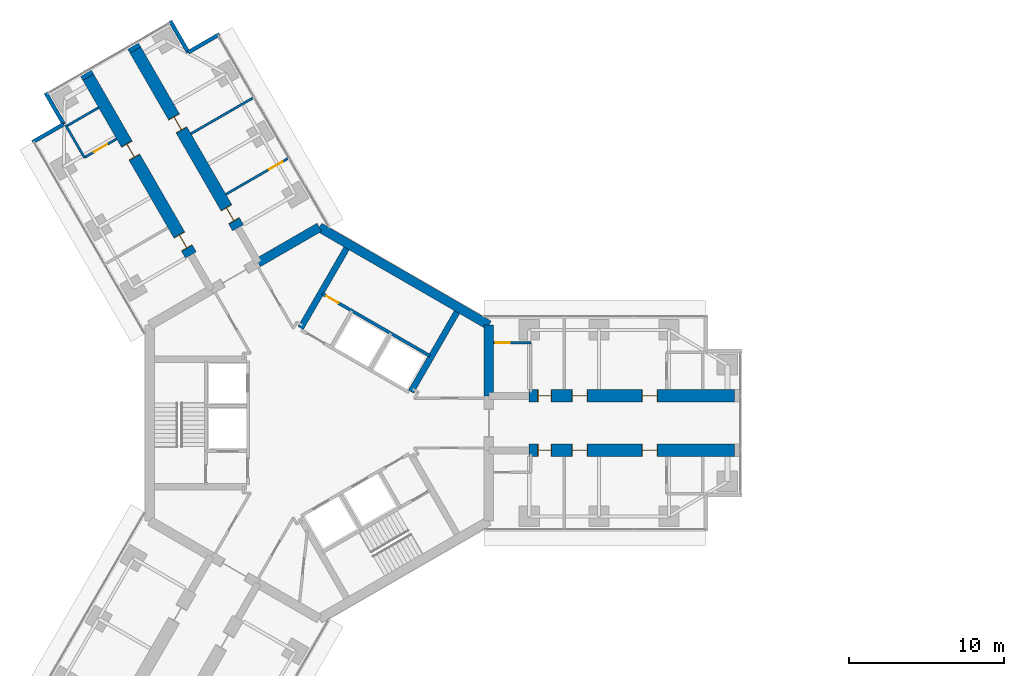
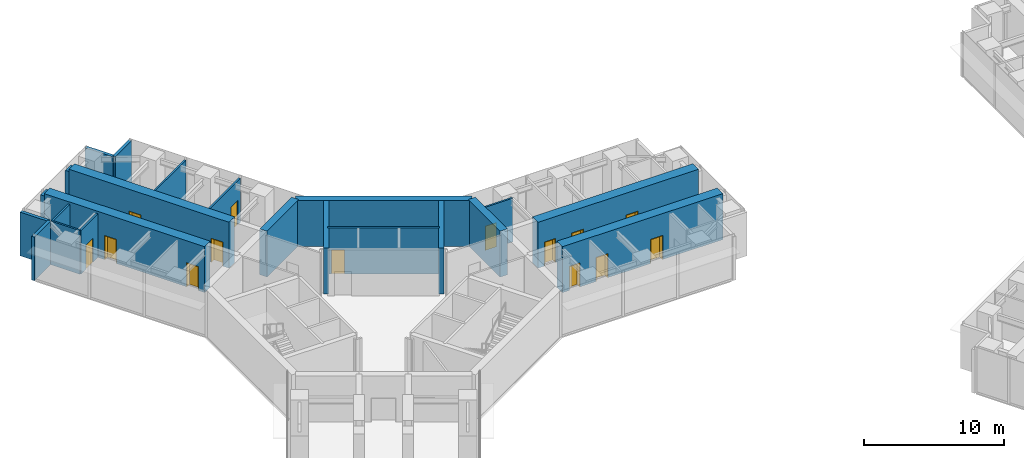
# One storey, part 17 of 22: 22 walls, 14 doors, 14 openings.
"""IFC4 building model written with IfcOpenShell, lengths in metres."""

from ifc_helpers import new_model, si_unit, direction, frame, frame_2d, origin, place, context, subcontext, project, spatial, rectangle, extrude, material, layer, layer_set, type_object, element, fill, save


model = new_model("IFC4")

# Units and contexts
model_context = context("Model", 3, precision=1e-05, world=origin(), true_north=direction((0.0, 1.0)))
body_context = subcontext(model_context, "Body", "Model", "MODEL_VIEW")
ifc_project = project(units=[si_unit("LENGTHUNIT", "METRE"), si_unit("AREAUNIT", "SQUARE_METRE"), si_unit("VOLUMEUNIT", "CUBIC_METRE"), si_unit("PLANEANGLEUNIT", "RADIAN"), si_unit("MASSUNIT", "GRAM", prefix="KILO")], contexts=[model_context])

# Site, building, storey
site_placement = place(None, origin())
site = spatial("IfcSite", under=ifc_project, at=site_placement, CompositionType="ELEMENT")
building_placement = place(site_placement, origin())
building = spatial("IfcBuilding", under=site, at=building_placement, Name="Upepo Twin Towers", CompositionType="ELEMENT")
storey_placement = place(building_placement, frame((0.0, 0.0, 125.5)))
storey = spatial("IfcBuildingStorey", under=building, at=storey_placement, Name="L30", CompositionType="ELEMENT", Elevation=125.5)

# Walls
ifc_material_1 = material(Name="Dense concrete blockwork", Category="masonry")
ifc_layer_1 = layer(ifc_material_1, 0.800048828125)
ifc_layer_set_1 = layer_set([ifc_layer_1], Name="Buttress closer 800, blockwork with fire-stopping to the curtain wall")
wall_type_1 = type_object("IfcWallType", Name="Buttress closer 800, blockwork with fire-stopping to the curtain wall", PredefinedType="PARTITIONING", material=ifc_layer_set_1)
wall_1_placement = place(storey_placement, frame((-14.865478515625, 22.247802734375, 0.0), z_axis=(0.0, 0.0, 1.0), x_axis=(-0.500426713919, 0.865778900179, 0.0)))
element("IfcWall", 1, at=wall_1_placement, inside=storey, type_object=wall_type_1, Name="T1 L30 wing B buttress closer L", PredefinedType="PARTITIONING", context=body_context, shape_type="SweptSolid", body=[
    extrude(rectangle(XDim=0.300048828125, YDim=0.800048828125, at=frame_2d((0.14990234375, 0.0))), origin(), (0.0, 0.0, 1.0), 3.800048828125),
])
wall_2_placement = place(storey_placement, frame((-11.83447265625, 23.997802734375, 0.0), z_axis=(0.0, 0.0, 1.0), x_axis=(-0.499816412211, 0.866131372301, 0.0)))
element("IfcWall", 2, at=wall_2_placement, inside=storey, type_object=wall_type_1, Name="T1 L30 wing B buttress closer R", PredefinedType="PARTITIONING", context=body_context, shape_type="SweptSolid", body=[
    extrude(rectangle(XDim=0.2998046875, YDim=0.800048828125, at=frame_2d((0.14990234375, 0.0))), origin(), (0.0, 0.0, 1.0), 3.800048828125),
])

# Wall, openings, doors
ifc_material_2 = material(Name="Concrete C60/75", Category="concrete")
ifc_layer_2 = layer(ifc_material_2, 0.800048828125)
ifc_layer_set_2 = layer_set([ifc_layer_2], Name="Concrete C60/75")
wall_type_2 = type_object("IfcWallType", Name="Buttress wall 800 RC", PredefinedType="SHEAR", material=ifc_layer_set_2)
wall_3_placement = place(storey_placement, frame((13.5, 1.75, 0.0), z_axis=(0.0, 0.0, 1.0), x_axis=(1.0, 0.0, 0.0)))
wall_3 = element("IfcWall", 3, at=wall_3_placement, inside=storey, type_object=wall_type_2, Name="T1 wing A buttress wall L part 2", PredefinedType="SHEAR", context=body_context, shape_type="SweptSolid", body=[
    extrude(rectangle(XDim=13.199951171875, YDim=0.800048828125, at=frame_2d((6.60009765625, 0.0))), origin(), (0.0, 0.0, 1.0), 4.0),
])
opening_1_placement = place(wall_3_placement, frame((0.550048828125, 0.0, 0.0)))
opening_1 = element("IfcOpeningElement", 4, at=opening_1_placement, cuts=wall_3, Name="Opening D11", PredefinedType="OPENING", context=body_context, shape_type="SweptSolid", body=[
    extrude(rectangle(XDim=0.89990234375, YDim=2.10009765625, at=frame_2d((0.449951171875, 1.050048828125))), frame((0.0, 0.409912109375, 0.0), z_axis=(0.0, -1.0, 0.0), x_axis=(1.0, 0.0, 0.0)), (0.0, 0.0, 1.0), 0.820068359375),
])
opening_2_placement = place(wall_3_placement, frame((2.75, 0.0, 0.0)))
opening_2 = element("IfcOpeningElement", 5, at=opening_2_placement, cuts=wall_3, Name="Opening D1", PredefinedType="OPENING", context=body_context, shape_type="SweptSolid", body=[
    extrude(rectangle(XDim=1.0, YDim=2.10009765625, at=frame_2d((0.5, 1.050048828125))), frame((0.0, 0.409912109375, 0.0), z_axis=(0.0, -1.0, 0.0), x_axis=(1.0, 0.0, 0.0)), (0.0, 0.0, 1.0), 0.820068359375),
])
opening_3_placement = place(wall_3_placement, frame((7.25, 0.0, 0.0)))
opening_3 = element("IfcOpeningElement", 6, at=opening_3_placement, cuts=wall_3, Name="Opening D1", PredefinedType="OPENING", context=body_context, shape_type="SweptSolid", body=[
    extrude(rectangle(XDim=1.0, YDim=2.10009765625, at=frame_2d((0.5, 1.050048828125))), frame((0.0, 0.409912109375, 0.0), z_axis=(0.0, -1.0, 0.0), x_axis=(1.0, 0.0, 0.0)), (0.0, 0.0, 1.0), 0.820068359375),
])
ifc_material_3 = material(Name="Timber doorset", Category="wood")
door_type_1 = type_object("IfcDoorType", Name="Room door 1000 FD30", OperationType="SINGLE_SWING_LEFT", PredefinedType="DOOR", material=ifc_material_3)
door_1_placement = place(opening_2_placement, origin())
door_1 = element("IfcDoor", 7, at=door_1_placement, inside=storey, type_object=door_type_1, Name="T1 L30 research laboratory door", OperationType="SINGLE_SWING_LEFT", OverallHeight=2.10009765625, OverallWidth=1.0, PredefinedType="DOOR", context=body_context, shape_type="SweptSolid", body=[
    extrude(rectangle(XDim=0.92, YDim=2.06009765625, at=frame_2d((0.5, 1.030029296875))), frame((0.0, 0.02490234375, 0.0), z_axis=(0.0, -1.0, 0.0), x_axis=(1.0, 0.0, 0.0)), (0.0, 0.0, 1.0), 0.050048828125),
    extrude(rectangle(XDim=0.04, YDim=2.10009765625, at=frame_2d((0.02001953125, 1.050048828125))), frame((0.0, 0.39990234375, 0.0), z_axis=(0.0, -1.0, 0.0), x_axis=(1.0, 0.0, 0.0)), (0.0, 0.0, 1.0), 0.799560546875),
    extrude(rectangle(XDim=0.04, YDim=2.10009765625, at=frame_2d((0.97998046875, 1.050048828125))), frame((0.0, 0.39990234375, 0.0), z_axis=(0.0, -1.0, 0.0), x_axis=(1.0, 0.0, 0.0)), (0.0, 0.0, 1.0), 0.799560546875),
    extrude(rectangle(XDim=0.92, YDim=0.04, at=frame_2d((0.5, 2.080078125))), frame((0.0, 0.39990234375, 0.0), z_axis=(0.0, -1.0, 0.0), x_axis=(1.0, 0.0, 0.0)), (0.0, 0.0, 1.0), 0.799560546875),
])
fill(opening_2, door_1)
door_2_placement = place(opening_3_placement, origin())
door_2 = element("IfcDoor", 8, at=door_2_placement, inside=storey, type_object=door_type_1, Name="T1 L30 research laboratory door", OperationType="SINGLE_SWING_RIGHT", OverallHeight=2.10009765625, OverallWidth=1.0, PredefinedType="DOOR", context=body_context, shape_type="SweptSolid", body=[
    extrude(rectangle(XDim=0.92, YDim=2.06009765625, at=frame_2d((0.5, 1.030029296875))), frame((0.0, 0.02490234375, 0.0), z_axis=(0.0, -1.0, 0.0), x_axis=(1.0, 0.0, 0.0)), (0.0, 0.0, 1.0), 0.050048828125),
    extrude(rectangle(XDim=0.04, YDim=2.10009765625, at=frame_2d((0.02001953125, 1.050048828125))), frame((0.0, 0.39990234375, 0.0), z_axis=(0.0, -1.0, 0.0), x_axis=(1.0, 0.0, 0.0)), (0.0, 0.0, 1.0), 0.799560546875),
    extrude(rectangle(XDim=0.04, YDim=2.10009765625, at=frame_2d((0.97998046875, 1.050048828125))), frame((0.0, 0.39990234375, 0.0), z_axis=(0.0, -1.0, 0.0), x_axis=(1.0, 0.0, 0.0)), (0.0, 0.0, 1.0), 0.799560546875),
    extrude(rectangle(XDim=0.92, YDim=0.04, at=frame_2d((0.5, 2.080078125))), frame((0.0, 0.39990234375, 0.0), z_axis=(0.0, -1.0, 0.0), x_axis=(1.0, 0.0, 0.0)), (0.0, 0.0, 1.0), 0.799560546875),
])
fill(opening_3, door_2)
ifc_material_4 = material(Name="Timber doorset", Category="wood")
door_type_2 = type_object("IfcDoorType", Name="Toilet door 900", OperationType="SINGLE_SWING_LEFT", PredefinedType="DOOR", material=ifc_material_4)
door_3_placement = place(opening_1_placement, origin())
door_3 = element("IfcDoor", 9, at=door_3_placement, inside=storey, type_object=door_type_2, Name="T1 L30 accessible wc door", OperationType="SINGLE_SWING_LEFT", OverallHeight=2.10009765625, OverallWidth=0.89990234375, PredefinedType="DOOR", context=body_context, shape_type="SweptSolid", body=[
    extrude(rectangle(XDim=0.81990234375, YDim=2.06009765625, at=frame_2d((0.449951171875, 1.030029296875))), frame((0.0, 0.02490234375, 0.0), z_axis=(0.0, -1.0, 0.0), x_axis=(1.0, 0.0, 0.0)), (0.0, 0.0, 1.0), 0.050048828125),
    extrude(rectangle(XDim=0.04, YDim=2.10009765625, at=frame_2d((0.02001953125, 1.050048828125))), frame((0.0, 0.39990234375, 0.0), z_axis=(0.0, -1.0, 0.0), x_axis=(1.0, 0.0, 0.0)), (0.0, 0.0, 1.0), 0.799560546875),
    extrude(rectangle(XDim=0.04, YDim=2.10009765625, at=frame_2d((0.8798828125, 1.050048828125))), frame((0.0, 0.39990234375, 0.0), z_axis=(0.0, -1.0, 0.0), x_axis=(1.0, 0.0, 0.0)), (0.0, 0.0, 1.0), 0.799560546875),
    extrude(rectangle(XDim=0.81990234375, YDim=0.04, at=frame_2d((0.449951171875, 2.080078125))), frame((0.0, 0.39990234375, 0.0), z_axis=(0.0, -1.0, 0.0), x_axis=(1.0, 0.0, 0.0)), (0.0, 0.0, 1.0), 0.799560546875),
])
fill(opening_1, door_3)

wall_4_placement = place(storey_placement, frame((13.5, -1.75, 0.0), z_axis=(0.0, 0.0, 1.0), x_axis=(1.0, 0.0, 0.0)))
wall_4 = element("IfcWall", 10, at=wall_4_placement, inside=storey, type_object=wall_type_2, Name="T1 wing A buttress wall R part 2", PredefinedType="SHEAR", context=body_context, shape_type="SweptSolid", body=[
    extrude(rectangle(XDim=13.199951171875, YDim=0.800048828125, at=frame_2d((6.60009765625, 0.0))), origin(), (0.0, 0.0, 1.0), 4.0),
])
opening_4_placement = place(wall_4_placement, frame((0.550048828125, 0.0, 0.0)))
opening_4 = element("IfcOpeningElement", 11, at=opening_4_placement, cuts=wall_4, Name="Opening D11", PredefinedType="OPENING", context=body_context, shape_type="SweptSolid", body=[
    extrude(rectangle(XDim=0.89990234375, YDim=2.10009765625, at=frame_2d((0.449951171875, 1.050048828125))), frame((0.0, 0.409912109375, 0.0), z_axis=(0.0, -1.0, 0.0), x_axis=(1.0, 0.0, 0.0)), (0.0, 0.0, 1.0), 0.820068359375),
])
opening_5_placement = place(wall_4_placement, frame((2.75, 0.0, 0.0)))
opening_5 = element("IfcOpeningElement", 12, at=opening_5_placement, cuts=wall_4, Name="Opening D1", PredefinedType="OPENING", context=body_context, shape_type="SweptSolid", body=[
    extrude(rectangle(XDim=1.0, YDim=2.10009765625, at=frame_2d((0.5, 1.050048828125))), frame((0.0, 0.409912109375, 0.0), z_axis=(0.0, -1.0, 0.0), x_axis=(1.0, 0.0, 0.0)), (0.0, 0.0, 1.0), 0.820068359375),
])
opening_6_placement = place(wall_4_placement, frame((7.25, 0.0, 0.0)))
opening_6 = element("IfcOpeningElement", 13, at=opening_6_placement, cuts=wall_4, Name="Opening D1", PredefinedType="OPENING", context=body_context, shape_type="SweptSolid", body=[
    extrude(rectangle(XDim=1.0, YDim=2.10009765625, at=frame_2d((0.5, 1.050048828125))), frame((0.0, 0.409912109375, 0.0), z_axis=(0.0, -1.0, 0.0), x_axis=(1.0, 0.0, 0.0)), (0.0, 0.0, 1.0), 0.820068359375),
])
door_4_placement = place(opening_5_placement, origin())
door_4 = element("IfcDoor", 14, at=door_4_placement, inside=storey, type_object=door_type_1, Name="T1 L30 research laboratory door", OperationType="SINGLE_SWING_LEFT", OverallHeight=2.10009765625, OverallWidth=1.0, PredefinedType="DOOR", context=body_context, shape_type="SweptSolid", body=[
    extrude(rectangle(XDim=0.92, YDim=2.06009765625, at=frame_2d((0.5, 1.030029296875))), frame((0.0, 0.02490234375, 0.0), z_axis=(0.0, -1.0, 0.0), x_axis=(1.0, 0.0, 0.0)), (0.0, 0.0, 1.0), 0.050048828125),
    extrude(rectangle(XDim=0.04, YDim=2.10009765625, at=frame_2d((0.02001953125, 1.050048828125))), frame((0.0, 0.39990234375, 0.0), z_axis=(0.0, -1.0, 0.0), x_axis=(1.0, 0.0, 0.0)), (0.0, 0.0, 1.0), 0.799560546875),
    extrude(rectangle(XDim=0.04, YDim=2.10009765625, at=frame_2d((0.97998046875, 1.050048828125))), frame((0.0, 0.39990234375, 0.0), z_axis=(0.0, -1.0, 0.0), x_axis=(1.0, 0.0, 0.0)), (0.0, 0.0, 1.0), 0.799560546875),
    extrude(rectangle(XDim=0.92, YDim=0.04, at=frame_2d((0.5, 2.080078125))), frame((0.0, 0.39990234375, 0.0), z_axis=(0.0, -1.0, 0.0), x_axis=(1.0, 0.0, 0.0)), (0.0, 0.0, 1.0), 0.799560546875),
])
fill(opening_5, door_4)
door_5_placement = place(opening_6_placement, origin())
door_5 = element("IfcDoor", 15, at=door_5_placement, inside=storey, type_object=door_type_1, Name="T1 L30 research laboratory door", OperationType="SINGLE_SWING_RIGHT", OverallHeight=2.10009765625, OverallWidth=1.0, PredefinedType="DOOR", context=body_context, shape_type="SweptSolid", body=[
    extrude(rectangle(XDim=0.92, YDim=2.06009765625, at=frame_2d((0.5, 1.030029296875))), frame((0.0, 0.02490234375, 0.0), z_axis=(0.0, -1.0, 0.0), x_axis=(1.0, 0.0, 0.0)), (0.0, 0.0, 1.0), 0.050048828125),
    extrude(rectangle(XDim=0.04, YDim=2.10009765625, at=frame_2d((0.02001953125, 1.050048828125))), frame((0.0, 0.39990234375, 0.0), z_axis=(0.0, -1.0, 0.0), x_axis=(1.0, 0.0, 0.0)), (0.0, 0.0, 1.0), 0.799560546875),
    extrude(rectangle(XDim=0.04, YDim=2.10009765625, at=frame_2d((0.97998046875, 1.050048828125))), frame((0.0, 0.39990234375, 0.0), z_axis=(0.0, -1.0, 0.0), x_axis=(1.0, 0.0, 0.0)), (0.0, 0.0, 1.0), 0.799560546875),
    extrude(rectangle(XDim=0.92, YDim=0.04, at=frame_2d((0.5, 2.080078125))), frame((0.0, 0.39990234375, 0.0), z_axis=(0.0, -1.0, 0.0), x_axis=(1.0, 0.0, 0.0)), (0.0, 0.0, 1.0), 0.799560546875),
])
fill(opening_6, door_5)
door_6_placement = place(opening_4_placement, origin())
door_6 = element("IfcDoor", 16, at=door_6_placement, inside=storey, type_object=door_type_2, Name="T1 L30 toilets door", OperationType="SINGLE_SWING_LEFT", OverallHeight=2.10009765625, OverallWidth=0.89990234375, PredefinedType="DOOR", context=body_context, shape_type="SweptSolid", body=[
    extrude(rectangle(XDim=0.81990234375, YDim=2.06009765625, at=frame_2d((0.449951171875, 1.030029296875))), frame((0.0, 0.02490234375, 0.0), z_axis=(0.0, -1.0, 0.0), x_axis=(1.0, 0.0, 0.0)), (0.0, 0.0, 1.0), 0.050048828125),
    extrude(rectangle(XDim=0.04, YDim=2.10009765625, at=frame_2d((0.02001953125, 1.050048828125))), frame((0.0, 0.39990234375, 0.0), z_axis=(0.0, -1.0, 0.0), x_axis=(1.0, 0.0, 0.0)), (0.0, 0.0, 1.0), 0.799560546875),
    extrude(rectangle(XDim=0.04, YDim=2.10009765625, at=frame_2d((0.8798828125, 1.050048828125))), frame((0.0, 0.39990234375, 0.0), z_axis=(0.0, -1.0, 0.0), x_axis=(1.0, 0.0, 0.0)), (0.0, 0.0, 1.0), 0.799560546875),
    extrude(rectangle(XDim=0.81990234375, YDim=0.04, at=frame_2d((0.449951171875, 2.080078125))), frame((0.0, 0.39990234375, 0.0), z_axis=(0.0, -1.0, 0.0), x_axis=(1.0, 0.0, 0.0)), (0.0, 0.0, 1.0), 0.799560546875),
])
fill(opening_4, door_6)

wall_5_placement = place(storey_placement, frame((-8.265625, 10.81640625, 0.0), z_axis=(0.0, 0.0, 1.0), x_axis=(-0.499996231654, 0.866027579429, 0.0)))
wall_5 = element("IfcWall", 17, at=wall_5_placement, inside=storey, type_object=wall_type_2, Name="T1 wing B buttress wall L part 2", PredefinedType="SHEAR", context=body_context, shape_type="SweptSolid", body=[
    extrude(rectangle(XDim=13.19970703125, YDim=0.800048828125, at=frame_2d((6.599853515625, 0.0))), origin(), (0.0, 0.0, 1.0), 4.0),
])
opening_7_placement = place(wall_5_placement, frame((0.5, 0.0, 0.0)))
opening_7 = element("IfcOpeningElement", 18, at=opening_7_placement, cuts=wall_5, Name="Opening D1", PredefinedType="OPENING", context=body_context, shape_type="SweptSolid", body=[
    extrude(rectangle(XDim=1.0, YDim=2.10009765625, at=frame_2d((0.5, 1.050048828125))), frame((0.0, 0.409912109375, 0.0), z_axis=(0.0, -1.0, 0.0), x_axis=(1.0, 0.0, 0.0)), (0.0, 0.0, 1.0), 0.820068359375),
])
opening_8_placement = place(wall_5_placement, frame((7.25, 0.0, 0.0)))
opening_8 = element("IfcOpeningElement", 19, at=opening_8_placement, cuts=wall_5, Name="Opening D1", PredefinedType="OPENING", context=body_context, shape_type="SweptSolid", body=[
    extrude(rectangle(XDim=1.0, YDim=2.10009765625, at=frame_2d((0.5, 1.050048828125))), frame((0.0, 0.409912109375, 0.0), z_axis=(0.0, -1.0, 0.0), x_axis=(1.0, 0.0, 0.0)), (0.0, 0.0, 1.0), 0.820068359375),
])
door_7_placement = place(opening_7_placement, origin())
door_7 = element("IfcDoor", 20, at=door_7_placement, inside=storey, type_object=door_type_1, Name="T1 L30 seminar room door", OperationType="SINGLE_SWING_LEFT", OverallHeight=2.10009765625, OverallWidth=1.0, PredefinedType="DOOR", context=body_context, shape_type="SweptSolid", body=[
    extrude(rectangle(XDim=0.92, YDim=2.06009765625, at=frame_2d((0.5, 1.030029296875))), frame((0.0, 0.02490234375, 0.0), z_axis=(0.0, -1.0, 0.0), x_axis=(1.0, 0.0, 0.0)), (0.0, 0.0, 1.0), 0.050048828125),
    extrude(rectangle(XDim=0.04, YDim=2.10009765625, at=frame_2d((0.02001953125, 1.050048828125))), frame((0.0, 0.39990234375, 0.0), z_axis=(0.0, -1.0, 0.0), x_axis=(1.0, 0.0, 0.0)), (0.0, 0.0, 1.0), 0.799560546875),
    extrude(rectangle(XDim=0.04, YDim=2.10009765625, at=frame_2d((0.97998046875, 1.050048828125))), frame((0.0, 0.39990234375, 0.0), z_axis=(0.0, -1.0, 0.0), x_axis=(1.0, 0.0, 0.0)), (0.0, 0.0, 1.0), 0.799560546875),
    extrude(rectangle(XDim=0.92, YDim=0.04, at=frame_2d((0.5, 2.080078125))), frame((0.0, 0.39990234375, 0.0), z_axis=(0.0, -1.0, 0.0), x_axis=(1.0, 0.0, 0.0)), (0.0, 0.0, 1.0), 0.799560546875),
])
fill(opening_7, door_7)
door_8_placement = place(opening_8_placement, origin())
door_8 = element("IfcDoor", 21, at=door_8_placement, inside=storey, type_object=door_type_1, Name="T1 L30 research laboratory door", OperationType="SINGLE_SWING_RIGHT", OverallHeight=2.10009765625, OverallWidth=1.0, PredefinedType="DOOR", context=body_context, shape_type="SweptSolid", body=[
    extrude(rectangle(XDim=0.92, YDim=2.06009765625, at=frame_2d((0.5, 1.030029296875))), frame((0.0, 0.02490234375, 0.0), z_axis=(0.0, -1.0, 0.0), x_axis=(1.0, 0.0, 0.0)), (0.0, 0.0, 1.0), 0.050048828125),
    extrude(rectangle(XDim=0.04, YDim=2.10009765625, at=frame_2d((0.02001953125, 1.050048828125))), frame((0.0, 0.39990234375, 0.0), z_axis=(0.0, -1.0, 0.0), x_axis=(1.0, 0.0, 0.0)), (0.0, 0.0, 1.0), 0.799560546875),
    extrude(rectangle(XDim=0.04, YDim=2.10009765625, at=frame_2d((0.97998046875, 1.050048828125))), frame((0.0, 0.39990234375, 0.0), z_axis=(0.0, -1.0, 0.0), x_axis=(1.0, 0.0, 0.0)), (0.0, 0.0, 1.0), 0.799560546875),
    extrude(rectangle(XDim=0.92, YDim=0.04, at=frame_2d((0.5, 2.080078125))), frame((0.0, 0.39990234375, 0.0), z_axis=(0.0, -1.0, 0.0), x_axis=(1.0, 0.0, 0.0)), (0.0, 0.0, 1.0), 0.799560546875),
])
fill(opening_8, door_8)

wall_6_placement = place(storey_placement, frame((-5.234375, 12.56640625, 0.0), z_axis=(0.0, 0.0, 1.0), x_axis=(-0.500010103361, 0.866019570528, 0.0)))
wall_6 = element("IfcWall", 22, at=wall_6_placement, inside=storey, type_object=wall_type_2, Name="T1 wing B buttress wall R part 2", PredefinedType="SHEAR", context=body_context, shape_type="SweptSolid", body=[
    extrude(rectangle(XDim=13.199951171875, YDim=0.800048828125, at=frame_2d((6.60009765625, 0.0))), origin(), (0.0, 0.0, 1.0), 4.0),
])
opening_9_placement = place(wall_6_placement, frame((0.5, 0.0, 0.0)))
opening_9 = element("IfcOpeningElement", 23, at=opening_9_placement, cuts=wall_6, Name="Opening D1", PredefinedType="OPENING", context=body_context, shape_type="SweptSolid", body=[
    extrude(rectangle(XDim=1.0, YDim=2.10009765625, at=frame_2d((0.5, 1.050048828125))), frame((0.0, 0.409912109375, 0.0), z_axis=(0.0, -1.0, 0.0), x_axis=(1.0, 0.0, 0.0)), (0.0, 0.0, 1.0), 0.820068359375),
])
opening_10_placement = place(wall_6_placement, frame((7.25, 0.0, 0.0)))
opening_10 = element("IfcOpeningElement", 24, at=opening_10_placement, cuts=wall_6, Name="Opening D1", PredefinedType="OPENING", context=body_context, shape_type="SweptSolid", body=[
    extrude(rectangle(XDim=1.0, YDim=2.10009765625, at=frame_2d((0.5, 1.050048828125))), frame((0.0, 0.409912109375, 0.0), z_axis=(0.0, -1.0, 0.0), x_axis=(1.0, 0.0, 0.0)), (0.0, 0.0, 1.0), 0.820068359375),
])
door_9_placement = place(opening_9_placement, origin())
door_9 = element("IfcDoor", 25, at=door_9_placement, inside=storey, type_object=door_type_1, Name="T1 L30 staff office door", OperationType="SINGLE_SWING_LEFT", OverallHeight=2.10009765625, OverallWidth=1.0, PredefinedType="DOOR", context=body_context, shape_type="SweptSolid", body=[
    extrude(rectangle(XDim=0.92, YDim=2.06009765625, at=frame_2d((0.5, 1.030029296875))), frame((0.0, 0.02490234375, 0.0), z_axis=(0.0, -1.0, 0.0), x_axis=(1.0, 0.0, 0.0)), (0.0, 0.0, 1.0), 0.050048828125),
    extrude(rectangle(XDim=0.04, YDim=2.10009765625, at=frame_2d((0.02001953125, 1.050048828125))), frame((0.0, 0.39990234375, 0.0), z_axis=(0.0, -1.0, 0.0), x_axis=(1.0, 0.0, 0.0)), (0.0, 0.0, 1.0), 0.799560546875),
    extrude(rectangle(XDim=0.04, YDim=2.10009765625, at=frame_2d((0.97998046875, 1.050048828125))), frame((0.0, 0.39990234375, 0.0), z_axis=(0.0, -1.0, 0.0), x_axis=(1.0, 0.0, 0.0)), (0.0, 0.0, 1.0), 0.799560546875),
    extrude(rectangle(XDim=0.92, YDim=0.04, at=frame_2d((0.5, 2.080078125))), frame((0.0, 0.39990234375, 0.0), z_axis=(0.0, -1.0, 0.0), x_axis=(1.0, 0.0, 0.0)), (0.0, 0.0, 1.0), 0.799560546875),
])
fill(opening_9, door_9)
door_10_placement = place(opening_10_placement, origin())
door_10 = element("IfcDoor", 26, at=door_10_placement, inside=storey, type_object=door_type_1, Name="T1 L30 computing laboratory door", OperationType="SINGLE_SWING_RIGHT", OverallHeight=2.10009765625, OverallWidth=1.0, PredefinedType="DOOR", context=body_context, shape_type="SweptSolid", body=[
    extrude(rectangle(XDim=0.92, YDim=2.06009765625, at=frame_2d((0.5, 1.030029296875))), frame((0.0, 0.02490234375, 0.0), z_axis=(0.0, -1.0, 0.0), x_axis=(1.0, 0.0, 0.0)), (0.0, 0.0, 1.0), 0.050048828125),
    extrude(rectangle(XDim=0.04, YDim=2.10009765625, at=frame_2d((0.02001953125, 1.050048828125))), frame((0.0, 0.39990234375, 0.0), z_axis=(0.0, -1.0, 0.0), x_axis=(1.0, 0.0, 0.0)), (0.0, 0.0, 1.0), 0.799560546875),
    extrude(rectangle(XDim=0.04, YDim=2.10009765625, at=frame_2d((0.97998046875, 1.050048828125))), frame((0.0, 0.39990234375, 0.0), z_axis=(0.0, -1.0, 0.0), x_axis=(1.0, 0.0, 0.0)), (0.0, 0.0, 1.0), 0.799560546875),
    extrude(rectangle(XDim=0.92, YDim=0.04, at=frame_2d((0.5, 2.080078125))), frame((0.0, 0.39990234375, 0.0), z_axis=(0.0, -1.0, 0.0), x_axis=(1.0, 0.0, 0.0)), (0.0, 0.0, 1.0), 0.799560546875),
])
fill(opening_10, door_10)

# Walls
ifc_material_5 = material(Name="Concrete C60/75", Category="concrete")
ifc_layer_3 = layer(ifc_material_5, 0.60009765625)
ifc_layer_set_3 = layer_set([ifc_layer_3], Name="Concrete C60/75")
wall_type_3 = type_object("IfcWallType", Name="Core wall 600 RC", PredefinedType="SHEAR", material=ifc_layer_set_3)
wall_7_placement = place(storey_placement, frame((10.908447265625, 1.75, 0.0), z_axis=(0.0, 0.0, 1.0), x_axis=(0.0, 1.0, 0.0)))
element("IfcWall", 27, at=wall_7_placement, inside=storey, type_object=wall_type_3, Name="T1 core wall 000 L", PredefinedType="SHEAR", context=body_context, shape_type="SweptSolid", body=[
    extrude(rectangle(XDim=4.5478515625, YDim=0.60009765625, at=frame_2d((2.27392578125, 0.0))), origin(), (0.0, 0.0, 1.0), 4.0),
])
wall_8_placement = place(storey_placement, frame((10.908447265625, 6.2978515625, 0.0), z_axis=(0.0, 0.0, 1.0), x_axis=(-0.866021940709, 0.500005998175, 0.0)))
element("IfcWall", 28, at=wall_8_placement, inside=storey, type_object=wall_type_3, Name="T1 core wall 060", PredefinedType="SHEAR", context=body_context, shape_type="SweptSolid", body=[
    extrude(rectangle(XDim=12.595947265625, YDim=0.60009765625, at=frame_2d((6.2978515625, 0.0))), origin(), (0.0, 0.0, 1.0), 4.0),
])
wall_9_placement = place(storey_placement, frame((0.0, 12.595947265625, 0.0), z_axis=(0.0, 0.0, 1.0), x_axis=(-0.866011268655, -0.500024481964, 0.0)))
element("IfcWall", 29, at=wall_9_placement, inside=storey, type_object=wall_type_3, Name="T1 core wall 120 R", PredefinedType="SHEAR", context=body_context, shape_type="SweptSolid", body=[
    extrude(rectangle(XDim=4.548095703125, YDim=0.60009765625, at=frame_2d((2.27392578125, 0.0))), origin(), (0.0, 0.0, 1.0), 4.0),
])
ifc_material_6 = material(Name="Blockwork with anodised aluminium cladding", Category="masonry")
ifc_layer_4 = layer(ifc_material_6, 0.25)
ifc_layer_set_4 = layer_set([ifc_layer_4], Name="Notch cladding wall 250, pale metal")
wall_type_4 = type_object("IfcWallType", Name="Notch cladding wall 250, pale metal", PredefinedType="STANDARD", material=ifc_layer_set_4)
for number, where, z_axis, x_axis, name in (
    (30, (-18.456298828125, 18.0673828125, 0.0), (0.0, 0.0, 1.0), (0.865998469481, 0.500046648681, 0.0), "T1 L30 wing B notch wall L1"),
    (31, (-16.44287109375, 19.22998046875, 0.0), (0.0, 0.0, 1.0), (-0.500046648681, 0.865998469481, 0.0), "T1 L30 wing B notch wall L2"),
    (32, (-6.418701171875, 25.017333984375, 0.0), (0.0, 0.0, 1.0), (-0.866043940782, -0.499967891604, 0.0), "T1 L30 wing B notch wall R1"),
    (33, (-8.43212890625, 23.85498046875, 0.0), (0.0, 0.0, 1.0), (-0.500046648681, 0.865998469481, 0.0), "T1 L30 wing B notch wall R2"),
):
    element("IfcWall", number, at=place(storey_placement, frame(where, z_axis=z_axis, x_axis=x_axis)), inside=storey, type_object=wall_type_4, Name=name, PredefinedType="STANDARD", context=body_context, shape_type="SweptSolid", body=[
        extrude(rectangle(XDim=2.324951171875, YDim=0.25, at=frame_2d((1.16259765625, 0.0))), origin(), (0.0, 0.0, 1.0), 3.800048828125),
    ])

# Wall, opening, door
ifc_material_7 = material(Name="Concrete C40/50", Category="concrete")
ifc_layer_5 = layer(ifc_material_7, 0.199951171875)
ifc_layer_set_5 = layer_set([ifc_layer_5], Name="Concrete C40/50")
wall_type_5 = type_object("IfcWallType", Name="Shaft wall 200 RC", PredefinedType="SHEAR", material=ifc_layer_set_5)
wall_10_placement = place(storey_placement, frame((7.114013671875, 4.322021484375, 0.0), z_axis=(0.0, 0.0, 1.0), x_axis=(-0.866026010844, 0.49999894854, 0.0)))
wall_10 = element("IfcWall", 34, at=wall_10_placement, inside=storey, type_object=wall_type_5, Name="T1 core W60 stair wall", PredefinedType="SHEAR", context=body_context, shape_type="SweptSolid", body=[
    extrude(rectangle(XDim=8.0, YDim=0.199951171875, at=frame_2d((4.0, 0.0))), origin(), (0.0, 0.0, 1.0), 4.0),
])
opening_11_placement = place(wall_10_placement, frame((6.800048828125, 0.0, 0.0)))
opening_11 = element("IfcOpeningElement", 35, at=opening_11_placement, cuts=wall_10, Name="Opening D9", PredefinedType="OPENING", context=body_context, shape_type="SweptSolid", body=[
    extrude(rectangle(XDim=0.89990234375, YDim=2.10009765625, at=frame_2d((0.449951171875, 1.050048828125))), frame((0.0, 0.10986328125, 0.0), z_axis=(0.0, -1.0, 0.0), x_axis=(1.0, 0.0, 0.0)), (0.0, 0.0, 1.0), 0.219970703125),
])
ifc_material_8 = material(Name="Timber doorset", Category="wood")
door_type_3 = type_object("IfcDoorType", Name="Riser door 900 FD60", OperationType="SINGLE_SWING_LEFT", PredefinedType="DOOR", material=ifc_material_8)
door_11_placement = place(opening_11_placement, origin())
door_11 = element("IfcDoor", 36, at=door_11_placement, inside=storey, type_object=door_type_3, Name="T1 L30 riser door", OperationType="SINGLE_SWING_RIGHT", OverallHeight=2.10009765625, OverallWidth=0.89990234375, PredefinedType="DOOR", context=body_context, shape_type="SweptSolid", body=[
    extrude(rectangle(XDim=0.89990234375, YDim=2.10009765625, at=frame_2d((0.449951171875, 1.050048828125))), frame((0.0, 0.02490234375, 0.0), z_axis=(0.0, -1.0, 0.0), x_axis=(1.0, 0.0, 0.0)), (0.0, 0.0, 1.0), 0.050048828125),
])
fill(opening_11, door_11)

# Walls
ifc_material_9 = material(Name="Concrete C40/50", Category="concrete")
ifc_layer_6 = layer(ifc_material_9, 0.39990234375)
ifc_layer_set_6 = layer_set([ifc_layer_6], Name="Concrete C40/50")
wall_type_6 = type_object("IfcWallType", Name="Shaft wall 400 RC", PredefinedType="SHEAR", material=ifc_layer_set_6)
wall_11_placement = place(storey_placement, frame((-1.20068359375, 6.120361328125, 0.0), z_axis=(0.0, 0.0, 1.0), x_axis=(0.49999668571, 0.866027317282, 0.0)))
element("IfcWall", 37, at=wall_11_placement, inside=storey, type_object=wall_type_6, Name="T1 core W60 side wall N", PredefinedType="SHEAR", context=body_context, shape_type="SweptSolid", body=[
    extrude(rectangle(XDim=5.908203125, YDim=0.39990234375, at=frame_2d((2.9541015625, 0.0))), origin(), (0.0, 0.0, 1.0), 4.0),
])
wall_12_placement = place(storey_placement, frame((5.900634765625, 2.020263671875, 0.0), z_axis=(0.0, 0.0, 1.0), x_axis=(0.500027676417, 0.866009424208, 0.0)))
element("IfcWall", 38, at=wall_12_placement, inside=storey, type_object=wall_type_6, Name="T1 core W60 side wall S", PredefinedType="SHEAR", context=body_context, shape_type="SweptSolid", body=[
    extrude(rectangle(XDim=5.908447265625, YDim=0.39990234375, at=frame_2d((2.9541015625, 0.0))), origin(), (0.0, 0.0, 1.0), 4.0),
])

# Wall, opening, door
ifc_material_10 = material(Name="Gypsum board on steel studs", Category="steel")
ifc_layer_7 = layer(ifc_material_10, 0.14990234375)
ifc_layer_set_7 = layer_set([ifc_layer_7], Name="Teaching partition 150 acoustic")
wall_type_7 = type_object("IfcWallType", Name="Teaching partition 150 acoustic", PredefinedType="PARTITIONING", material=ifc_layer_set_7)
wall_13_placement = place(storey_placement, frame((11.2080078125, 5.175048828125, 0.0), z_axis=(0.0, 0.0, 1.0), x_axis=(1.0, 0.0, 0.0)))
wall_13 = element("IfcWall", 39, at=wall_13_placement, inside=storey, type_object=wall_type_7, Name="T1 WC bay partition AL at 11.21", PredefinedType="PARTITIONING", context=body_context, shape_type="SweptSolid", body=[
    extrude(rectangle(XDim=2.39990234375, YDim=0.14990234375, at=frame_2d((1.199951171875, 0.0))), origin(), (0.0, 0.0, 1.0), 3.800048828125),
])
opening_12_placement = place(wall_13_placement, frame((0.14990234375, 0.0, 0.0)))
opening_12 = element("IfcOpeningElement", 40, at=opening_12_placement, cuts=wall_13, Name="Opening D14", PredefinedType="OPENING", context=body_context, shape_type="SweptSolid", body=[
    extrude(rectangle(XDim=0.89990234375, YDim=2.10009765625, at=frame_2d((0.449951171875, 1.050048828125))), frame((0.0, 0.0849609375, 0.0), z_axis=(0.0, -1.0, 0.0), x_axis=(1.0, 0.0, 0.0)), (0.0, 0.0, 1.0), 0.169921875),
])
ifc_material_11 = material(Name="Timber doorset", Category="wood")
door_type_4 = type_object("IfcDoorType", Name="Office door 900 FD30", OperationType="SINGLE_SWING_LEFT", PredefinedType="DOOR", material=ifc_material_11)
door_12_placement = place(opening_12_placement, origin())
door_12 = element("IfcDoor", 41, at=door_12_placement, inside=storey, type_object=door_type_4, Name="T1 L30 WC bay inner room door", OperationType="SINGLE_SWING_LEFT", OverallHeight=2.10009765625, OverallWidth=0.89990234375, PredefinedType="DOOR", context=body_context, shape_type="SweptSolid", body=[
    extrude(rectangle(XDim=0.89990234375, YDim=2.10009765625, at=frame_2d((0.449951171875, 1.050048828125))), frame((0.0, 0.02490234375, 0.0), z_axis=(0.0, -1.0, 0.0), x_axis=(1.0, 0.0, 0.0)), (0.0, 0.0, 1.0), 0.050048828125),
])
fill(opening_12, door_12)

# Wall
wall_14_placement = place(storey_placement, frame((-15.115478515625, 17.08056640625, 0.0), z_axis=(0.0, 0.0, 1.0), x_axis=(-0.499957262057, 0.866050077142, 0.0)))
element("IfcWall", 42, at=wall_14_placement, inside=storey, type_object=wall_type_7, Name="T1 inner room partition BL at 22.35", PredefinedType="PARTITIONING", context=body_context, shape_type="SweptSolid", body=[
    extrude(rectangle(XDim=2.400146484375, YDim=0.14990234375, at=frame_2d((1.2001953125, 0.0))), origin(), (0.0, 0.0, 1.0), 3.800048828125),
])

# Wall, opening, door
wall_15_placement = place(storey_placement, frame((-13.036865234375, 18.28076171875, 0.0), z_axis=(0.0, 0.0, 1.0), x_axis=(-0.866006032174, -0.500033551112, 0.0)))
wall_15 = element("IfcWall", 43, at=wall_15_placement, inside=storey, type_object=wall_type_7, Name="T1 inner room partition BL end at 22.35", PredefinedType="PARTITIONING", context=body_context, shape_type="SweptSolid", body=[
    extrude(rectangle(XDim=2.400146484375, YDim=0.14990234375, at=frame_2d((1.2001953125, 0.0))), origin(), (0.0, 0.0, 1.0), 3.800048828125),
])
opening_13_placement = place(wall_15_placement, frame((0.699951171875, 0.0, 0.0)))
opening_13 = element("IfcOpeningElement", 44, at=opening_13_placement, cuts=wall_15, Name="Opening D1", PredefinedType="OPENING", context=body_context, shape_type="SweptSolid", body=[
    extrude(rectangle(XDim=1.0, YDim=2.10009765625, at=frame_2d((0.5, 1.050048828125))), frame((0.0, 0.0849609375, 0.0), z_axis=(0.0, -1.0, 0.0), x_axis=(1.0, 0.0, 0.0)), (0.0, 0.0, 1.0), 0.169921875),
])
door_13_placement = place(opening_13_placement, origin())
door_13 = element("IfcDoor", 45, at=door_13_placement, inside=storey, type_object=door_type_1, Name="T1 L30 inner room door", OperationType="SINGLE_SWING_LEFT", OverallHeight=2.10009765625, OverallWidth=1.0, PredefinedType="DOOR", context=body_context, shape_type="SweptSolid", body=[
    extrude(rectangle(XDim=1.0, YDim=2.10009765625, at=frame_2d((0.5, 1.050048828125))), frame((0.0, 0.02490234375, 0.0), z_axis=(0.0, -1.0, 0.0), x_axis=(1.0, 0.0, 0.0)), (0.0, 0.0, 1.0), 0.050048828125),
])
fill(opening_13, door_13)

# Wall
wall_16_placement = place(storey_placement, frame((-14.199462890625, 20.294189453125, 0.0), z_axis=(0.0, 0.0, 1.0), x_axis=(-0.866024647952, -0.500001309137, 0.0)))
element("IfcWall", 46, at=wall_16_placement, inside=storey, type_object=wall_type_7, Name="T1 inner room partition BL end at 24.75", PredefinedType="PARTITIONING", context=body_context, shape_type="SweptSolid", body=[
    extrude(rectangle(XDim=2.39990234375, YDim=0.14990234375, at=frame_2d((1.199951171875, 0.0))), origin(), (0.0, 0.0, 1.0), 3.800048828125),
])

# Wall, opening, door
wall_17_placement = place(storey_placement, frame((-6.012939453125, 14.71484375, 0.0), z_axis=(0.0, 0.0, 1.0), x_axis=(0.866016770315, 0.500014953309, 0.0)))
wall_17 = element("IfcWall", 47, at=wall_17_placement, inside=storey, type_object=wall_type_7, Name="T1 partition BR at 15.75", PredefinedType="PARTITIONING", context=body_context, shape_type="SweptSolid", body=[
    extrude(rectangle(XDim=4.599853515625, YDim=0.14990234375, at=frame_2d((2.2998046875, 0.0))), origin(), (0.0, 0.0, 1.0), 3.800048828125),
])
opening_14_placement = place(wall_17_placement, frame((3.199951171875, 0.0, 0.0)))
opening_14 = element("IfcOpeningElement", 48, at=opening_14_placement, cuts=wall_17, Name="Opening D1", PredefinedType="OPENING", context=body_context, shape_type="SweptSolid", body=[
    extrude(rectangle(XDim=1.0, YDim=2.10009765625, at=frame_2d((0.5, 1.050048828125))), frame((0.0, 0.0849609375, 0.0), z_axis=(0.0, -1.0, 0.0), x_axis=(1.0, 0.0, 0.0)), (0.0, 0.0, 1.0), 0.169921875),
])
door_14_placement = place(opening_14_placement, origin())
door_14 = element("IfcDoor", 49, at=door_14_placement, inside=storey, type_object=door_type_1, Name="T1 L30 connecting door", OperationType="SINGLE_SWING_RIGHT", OverallHeight=2.10009765625, OverallWidth=1.0, PredefinedType="DOOR", context=body_context, shape_type="SweptSolid", body=[
    extrude(rectangle(XDim=1.0, YDim=2.10009765625, at=frame_2d((0.5, 1.050048828125))), frame((0.0, 0.02490234375, 0.0), z_axis=(0.0, -1.0, 0.0), x_axis=(1.0, 0.0, 0.0)), (0.0, 0.0, 1.0), 0.050048828125),
])
fill(opening_14, door_14)

# Wall
wall_18_placement = place(storey_placement, frame((-8.262939453125, 18.612060546875, 0.0), z_axis=(0.0, 0.0, 1.0), x_axis=(0.866016770315, 0.500014953309, 0.0)))
element("IfcWall", 50, at=wall_18_placement, inside=storey, type_object=wall_type_7, Name="T1 partition BR at 20.25", PredefinedType="PARTITIONING", context=body_context, shape_type="SweptSolid", body=[
    extrude(rectangle(XDim=4.599853515625, YDim=0.14990234375, at=frame_2d((2.2998046875, 0.0))), origin(), (0.0, 0.0, 1.0), 3.800048828125),
])

save(model, "model.ifc")
